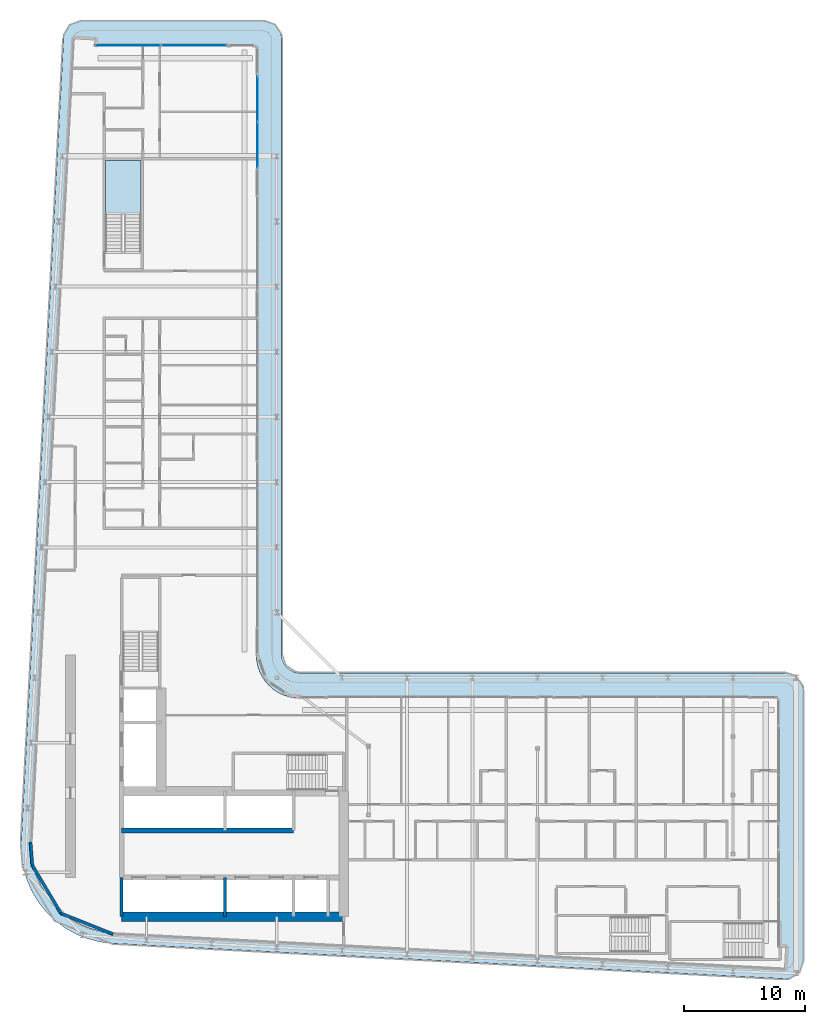
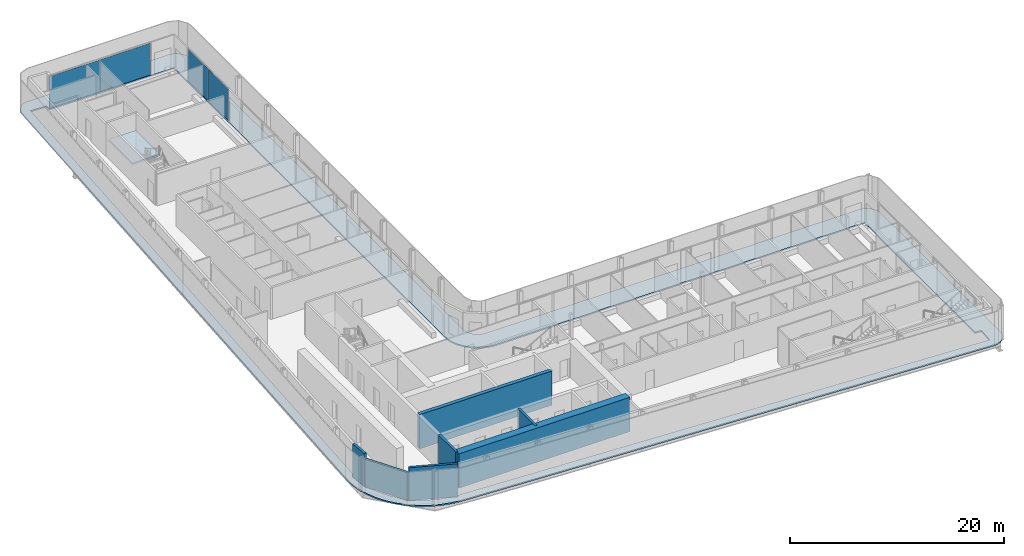
# One storey, part 10 of 24: 7 walls, 4 plates, 2 slabs, 3 elements without a shape of their own.
"""IFC4 building model written with IfcOpenShell, lengths in metres."""

from ifc_helpers import new_model, si_unit, direction, frame, frame_2d, origin, origin_2d, place, context, subcontext, project, spatial, polyline, rectangle, outline, extrude, material, layer, layer_set, type_object, element, aggregate, save


model = new_model("IFC4")

# Units and contexts
model_context = context("Model", 3, precision=1e-05, world=origin(), true_north=direction((0.0, 1.0)))
body_context = subcontext(model_context, "Body", "Model", "MODEL_VIEW")
ifc_project = project(units=[si_unit("LENGTHUNIT", "METRE"), si_unit("AREAUNIT", "SQUARE_METRE"), si_unit("VOLUMEUNIT", "CUBIC_METRE"), si_unit("PLANEANGLEUNIT", "RADIAN"), si_unit("MASSUNIT", "GRAM", prefix="KILO")], contexts=[model_context])

# Site, building, storey
site_placement = place(None, origin())
site = spatial("IfcSite", under=ifc_project, at=site_placement, CompositionType="ELEMENT")
building_placement = place(site_placement, origin())
building = spatial("IfcBuilding", under=site, at=building_placement, Name="Kheshtan School and Residences Tower", CompositionType="ELEMENT")
storey_placement = place(building_placement, frame((0.0, 0.0, 160.39990234375)))
storey = spatial("IfcBuildingStorey", under=building, at=storey_placement, Name="L37", CompositionType="ELEMENT", Elevation=160.39990234375)

# Curtain wall, plates
ifc_material_1 = material(Name="Clear low-e glass in thermally broken aluminium frame", Category="aluminium")
ifc_layer_1 = layer(ifc_material_1, 0.199951171875)
ifc_layer_set_1 = layer_set([ifc_layer_1], Name="Curtain wall CW-L")
curtain_wall_type = type_object("IfcCurtainWallType", Name="Curtain wall CW-L", PredefinedType="NOTDEFINED", material=ifc_layer_set_1)
curtain_wall_1_placement = place(storey_placement, origin())
curtain_wall_1 = element("IfcCurtainWall", 1, at=curtain_wall_1_placement, inside=storey, type_object=curtain_wall_type, Name="Curtain wall CWL7", PredefinedType="NOTDEFINED")
ifc_layer_2 = layer(ifc_material_1, 0.031982421875)
ifc_layer_set_2 = layer_set([ifc_layer_2], Name="CW-L glass panel")
plate_type = type_object("IfcPlateType", Name="CW-L glass panel", PredefinedType="CURTAIN_PANEL", material=ifc_layer_set_2)
plate_1_placement = place(storey_placement, frame((35.259033203125, 98.0, 0.000244140625), z_axis=(0.0, 0.0, 1.0), x_axis=(1.0, 0.0, 0.0)))
plate_1 = element("IfcPlate", 2, at=plate_1_placement, type_object=plate_type, Name="CWL7 panel 1.1", PredefinedType="CURTAIN_PANEL", context=body_context, shape_type="SweptSolid", body=[
    extrude(rectangle(XDim=5.4140625, YDim=0.031982421875, at=origin_2d()), origin(), (0.0, 0.0, 1.0), 3.6298828125),
])
plate_2_placement = place(storey_placement, frame((40.73291015625, 98.0, 0.000244140625), z_axis=(0.0, 0.0, 1.0), x_axis=(1.0, 0.0, 0.0)))
plate_2 = element("IfcPlate", 3, at=plate_2_placement, type_object=plate_type, Name="CWL7 panel 2.1", PredefinedType="CURTAIN_PANEL", context=body_context, shape_type="SweptSolid", body=[
    extrude(rectangle(XDim=5.4140625, YDim=0.031982421875, at=origin_2d()), origin(), (0.0, 0.0, 1.0), 3.6298828125),
])
aggregate(curtain_wall_1, [plate_1, plate_2])

curtain_wall_2_placement = place(storey_placement, origin())
curtain_wall_2 = element("IfcCurtainWall", 4, at=curtain_wall_2_placement, inside=storey, type_object=curtain_wall_type, Name="Curtain wall CWL8", PredefinedType="NOTDEFINED")
plate_3_placement = place(storey_placement, frame((46.0, 93.5615234375, 0.000244140625), z_axis=(0.0, 0.0, 1.0), x_axis=(0.0, -1.0, 0.0)))
plate_3 = element("IfcPlate", 5, at=plate_3_placement, type_object=plate_type, Name="CWL8 panel 1.1", PredefinedType="CURTAIN_PANEL", context=body_context, shape_type="SweptSolid", body=[
    extrude(rectangle(XDim=3.757080078125, YDim=0.031982421875, at=origin_2d()), origin(), (0.0, 0.0, 1.0), 3.6298828125),
])
plate_4_placement = place(storey_placement, frame((46.0, 89.744384765625, 0.000244140625), z_axis=(0.0, 0.0, 1.0), x_axis=(0.0, -1.0, 0.0)))
plate_4 = element("IfcPlate", 6, at=plate_4_placement, type_object=plate_type, Name="CWL8 panel 2.1", PredefinedType="CURTAIN_PANEL", context=body_context, shape_type="SweptSolid", body=[
    extrude(rectangle(XDim=3.757080078125, YDim=0.031982421875, at=origin_2d()), origin(), (0.0, 0.0, 1.0), 3.6298828125),
])
aggregate(curtain_wall_2, [plate_3, plate_4])

# Slab
ifc_material_2 = material(Name="Concrete C40/50", Category="concrete")
ifc_layer_3 = layer(ifc_material_2, 0.14990234375)
ifc_layer_set_3 = layer_set([ifc_layer_3], Name="Loggia balcony slab 150 Concrete C40/50")
slab_type_1 = type_object("IfcSlabType", Name="Loggia balcony slab 150 Concrete C40/50", PredefinedType="FLOOR", material=ifc_layer_set_3)
slab_1_placement = place(storey_placement, frame((0.0, 0.0, -0.14990234375)))
element("IfcSlab", 7, at=slab_1_placement, inside=storey, type_object=slab_type_1, Name="Loggia balcony slab L37", PredefinedType="FLOOR", context=body_context, shape_type="SweptSolid", body=[
    extrude(outline(polyline([(28.4580078125, 26.222900390625), (28.45703125, 26.222900390625), (28.45703125, 26.22412109375), (28.4560546875, 26.22412109375), (27.81494140625, 27.0390625), (27.281005859375, 27.93798828125), (26.867919921875, 28.89990234375), (26.583984375, 29.89990234375), (26.583984375, 29.906982421875), (26.43408203125, 30.943115234375), (26.419921875, 31.989013671875), (29.925048828125, 98.5791015625), (29.930908203125, 98.626953125), (29.930908203125, 98.6279296875), (29.929931640625, 98.6279296875), (29.929931640625, 98.62890625), (29.928955078125, 98.62890625), (29.928955078125, 98.6298828125), (29.927978515625, 98.6298828125), (29.927978515625, 98.631103515625), (29.927001953125, 98.631103515625), (29.927001953125, 98.632080078125), (29.927001953125, 98.633056640625), (29.945068359375, 98.781005859375), (29.945068359375, 98.783935546875), (29.945068359375, 98.784912109375), (29.946044921875, 98.784912109375), (29.946044921875, 98.785888671875), (29.947021484375, 98.785888671875), (29.947021484375, 98.787109375), (29.947998046875, 98.787109375), (29.948974609375, 98.787109375), (29.948974609375, 98.7880859375), (29.949951171875, 98.7880859375), (29.949951171875, 98.7890625), (29.949951171875, 98.791015625), (30.0029296875, 98.98388671875), (30.083984375, 99.175048828125), (30.18896484375, 99.35302734375), (30.31103515625, 99.507080078125), (30.31201171875, 99.507080078125), (30.31201171875, 99.508056640625), (30.31298828125, 99.508056640625), (30.31298828125, 99.509033203125), (30.31396484375, 99.509033203125), (30.31396484375, 99.510009765625), (30.31494140625, 99.510009765625), (30.31494140625, 99.510986328125), (30.31591796875, 99.510986328125), (30.31591796875, 99.511962890625), (30.31689453125, 99.511962890625), (30.31689453125, 99.512939453125), (30.318115234375, 99.512939453125), (30.321044921875, 99.512939453125), (30.322021484375, 99.512939453125), (30.322021484375, 99.513916015625), (30.468017578125, 99.656982421875), (30.468994140625, 99.656982421875), (30.468994140625, 99.657958984375), (30.469970703125, 99.657958984375), (30.469970703125, 99.658935546875), (30.470947265625, 99.658935546875), (30.470947265625, 99.659912109375), (30.471923828125, 99.659912109375), (30.471923828125, 99.660888671875), (30.472900390625, 99.660888671875), (30.472900390625, 99.662109375), (30.47412109375, 99.662109375), (30.47412109375, 99.6630859375), (30.47509765625, 99.6630859375), (30.47509765625, 99.6640625), (30.635986328125, 99.777099609375), (30.820068359375, 99.873046875), (31.007080078125, 99.943115234375), (31.013916015625, 99.943115234375), (31.217041015625, 99.986083984375), (31.423095703125, 100.0), (46.5, 100.0), (46.696044921875, 99.987060546875), (46.887939453125, 99.948974609375), (46.89501953125, 99.948974609375), (47.073974609375, 99.885986328125), (47.242919921875, 99.801025390625), (47.243896484375, 99.801025390625), (47.2470703125, 99.801025390625), (47.248046875, 99.801025390625), (47.248046875, 99.802001953125), (47.2490234375, 99.802001953125), (47.2490234375, 99.802978515625), (47.25, 99.802978515625), (47.2529296875, 99.802978515625), (47.25390625, 99.802978515625), (47.25390625, 99.802001953125), (47.2548828125, 99.802001953125), (47.2548828125, 99.801025390625), (47.256103515625, 99.801025390625), (47.256103515625, 99.800048828125), (47.257080078125, 99.800048828125), (47.257080078125, 99.799072265625), (47.258056640625, 99.799072265625), (47.258056640625, 99.798095703125), (47.412109375, 99.696044921875), (47.4130859375, 99.696044921875), (47.4130859375, 99.695068359375), (47.4140625, 99.695068359375), (47.4140625, 99.694091796875), (47.4140625, 99.68994140625), (47.4140625, 99.68896484375), (47.4150390625, 99.68896484375), (47.4150390625, 99.68798828125), (47.416015625, 99.68798828125), (47.416015625, 99.68701171875), (47.4169921875, 99.68701171875), (47.4169921875, 99.68603515625), (47.554931640625, 99.568115234375), (47.554931640625, 99.56689453125), (47.555908203125, 99.56689453125), (47.555908203125, 99.56591796875), (47.556884765625, 99.56591796875), (47.556884765625, 99.56494140625), (47.55810546875, 99.56494140625), (47.55810546875, 99.56396484375), (47.55908203125, 99.56396484375), (47.55908203125, 99.56298828125), (47.56005859375, 99.56298828125), (47.56005859375, 99.56201171875), (47.56103515625, 99.56201171875), (47.56201171875, 99.56103515625), (47.56201171875, 99.56005859375), (47.56298828125, 99.56005859375), (47.56298828125, 99.55908203125), (47.56396484375, 99.55908203125), (47.56396484375, 99.55810546875), (47.56494140625, 99.55810546875), (47.56494140625, 99.556884765625), (47.56591796875, 99.556884765625), (47.56591796875, 99.555908203125), (47.56689453125, 99.555908203125), (47.56689453125, 99.554931640625), (47.568115234375, 99.554931640625), (47.68505859375, 99.41796875), (47.68603515625, 99.41796875), (47.68603515625, 99.4169921875), (47.68701171875, 99.4169921875), (47.68701171875, 99.416015625), (47.68798828125, 99.416015625), (47.68798828125, 99.4150390625), (47.68896484375, 99.4150390625), (47.68896484375, 99.4140625), (47.68994140625, 99.4140625), (47.694091796875, 99.4140625), (47.695068359375, 99.4140625), (47.695068359375, 99.4130859375), (47.696044921875, 99.4130859375), (47.696044921875, 99.412109375), (47.797119140625, 99.259033203125), (47.798095703125, 99.259033203125), (47.798095703125, 99.258056640625), (47.799072265625, 99.258056640625), (47.799072265625, 99.257080078125), (47.800048828125, 99.257080078125), (47.800048828125, 99.256103515625), (47.801025390625, 99.256103515625), (47.801025390625, 99.2548828125), (47.802001953125, 99.2548828125), (47.802001953125, 99.25390625), (47.802978515625, 99.25390625), (47.802978515625, 99.2529296875), (47.802978515625, 99.25), (47.802978515625, 99.2490234375), (47.802001953125, 99.2490234375), (47.802001953125, 99.248046875), (47.801025390625, 99.248046875), (47.801025390625, 99.2470703125), (47.801025390625, 99.242919921875), (47.801025390625, 99.241943359375), (47.885986328125, 99.073974609375), (47.948974609375, 98.89501953125), (47.948974609375, 98.887939453125), (47.987060546875, 98.696044921875), (48.0, 98.5), (48.0, 47.5), (48.012939453125, 47.303955078125), (48.051025390625, 47.113037109375), (48.051025390625, 47.10693359375), (48.051025390625, 47.10595703125), (48.114013671875, 46.926025390625), (48.200927734375, 46.75), (48.31005859375, 46.5869140625), (48.431884765625, 46.444091796875), (48.43310546875, 46.444091796875), (48.43310546875, 46.443115234375), (48.43408203125, 46.443115234375), (48.43408203125, 46.44189453125), (48.43505859375, 46.44189453125), (48.43505859375, 46.44091796875), (48.43603515625, 46.44091796875), (48.43603515625, 46.43994140625), (48.43701171875, 46.43994140625), (48.43701171875, 46.43896484375), (48.43798828125, 46.43896484375), (48.43896484375, 46.43798828125), (48.43896484375, 46.43701171875), (48.43994140625, 46.43701171875), (48.43994140625, 46.43603515625), (48.44091796875, 46.43603515625), (48.44091796875, 46.43505859375), (48.44189453125, 46.43505859375), (48.44189453125, 46.43408203125), (48.443115234375, 46.43408203125), (48.443115234375, 46.43310546875), (48.444091796875, 46.43310546875), (48.444091796875, 46.431884765625), (48.5869140625, 46.31005859375), (48.75, 46.200927734375), (48.926025390625, 46.114013671875), (49.10595703125, 46.051025390625), (49.10693359375, 46.051025390625), (49.113037109375, 46.051025390625), (49.303955078125, 46.012939453125), (49.5, 46.0), (89.699951171875, 46.0), (89.89599609375, 45.987060546875), (90.087890625, 45.948974609375), (90.094970703125, 45.948974609375), (90.27392578125, 45.885986328125), (90.44189453125, 45.801025390625), (90.443115234375, 45.801025390625), (90.447021484375, 45.801025390625), (90.447998046875, 45.801025390625), (90.447998046875, 45.802001953125), (90.448974609375, 45.802001953125), (90.448974609375, 45.802978515625), (90.449951171875, 45.802978515625), (90.452880859375, 45.802978515625), (90.4541015625, 45.802978515625), (90.4541015625, 45.802001953125), (90.455078125, 45.802001953125), (90.455078125, 45.801025390625), (90.4560546875, 45.801025390625), (90.4560546875, 45.800048828125), (90.45703125, 45.800048828125), (90.45703125, 45.799072265625), (90.4580078125, 45.799072265625), (90.4580078125, 45.798095703125), (90.458984375, 45.798095703125), (90.458984375, 45.797119140625), (90.4599609375, 45.797119140625), (90.4599609375, 45.7958984375), (90.612060546875, 45.696044921875), (90.613037109375, 45.696044921875), (90.613037109375, 45.695068359375), (90.614013671875, 45.695068359375), (90.614013671875, 45.694091796875), (90.614013671875, 45.68994140625), (90.614013671875, 45.68896484375), (90.614990234375, 45.68896484375), (90.614990234375, 45.68798828125), (90.615966796875, 45.68798828125), (90.615966796875, 45.68701171875), (90.616943359375, 45.68701171875), (90.616943359375, 45.68603515625), (90.617919921875, 45.68603515625), (90.617919921875, 45.68505859375), (90.618896484375, 45.68505859375), (90.618896484375, 45.68408203125), (90.7548828125, 45.568115234375), (90.7548828125, 45.56689453125), (90.756103515625, 45.56689453125), (90.756103515625, 45.56591796875), (90.757080078125, 45.56591796875), (90.757080078125, 45.56494140625), (90.758056640625, 45.56494140625), (90.758056640625, 45.56396484375), (90.759033203125, 45.56396484375), (90.759033203125, 45.56298828125), (90.760009765625, 45.56298828125), (90.760009765625, 45.56201171875), (90.760986328125, 45.56201171875), (90.761962890625, 45.56103515625), (90.761962890625, 45.56005859375), (90.762939453125, 45.56005859375), (90.762939453125, 45.55908203125), (90.763916015625, 45.55908203125), (90.763916015625, 45.55810546875), (90.764892578125, 45.55810546875), (90.764892578125, 45.556884765625), (90.76611328125, 45.556884765625), (90.76611328125, 45.555908203125), (90.76708984375, 45.555908203125), (90.76708984375, 45.554931640625), (90.76806640625, 45.554931640625), (90.882080078125, 45.4208984375), (90.883056640625, 45.4208984375), (90.883056640625, 45.419921875), (90.884033203125, 45.419921875), (90.884033203125, 45.4189453125), (90.885009765625, 45.4189453125), (90.885009765625, 45.41796875), (90.885986328125, 45.41796875), (90.885986328125, 45.4169921875), (90.886962890625, 45.4169921875), (90.886962890625, 45.416015625), (90.887939453125, 45.416015625), (90.887939453125, 45.4150390625), (90.888916015625, 45.4150390625), (90.888916015625, 45.4140625), (90.889892578125, 45.4140625), (90.89404296875, 45.4140625), (90.89501953125, 45.4140625), (90.89501953125, 45.4130859375), (90.89599609375, 45.4130859375), (90.89599609375, 45.412109375), (90.993896484375, 45.261962890625), (90.9951171875, 45.261962890625), (90.9951171875, 45.260986328125), (90.99609375, 45.260986328125), (90.99609375, 45.260009765625), (90.9970703125, 45.260009765625), (90.9970703125, 45.259033203125), (90.998046875, 45.259033203125), (90.998046875, 45.258056640625), (90.9990234375, 45.258056640625), (90.9990234375, 45.257080078125), (91.0, 45.257080078125), (91.0, 45.256103515625), (91.0009765625, 45.256103515625), (91.0009765625, 45.2548828125), (91.001953125, 45.2548828125), (91.001953125, 45.25390625), (91.0029296875, 45.25390625), (91.0029296875, 45.2529296875), (91.0029296875, 45.25), (91.0029296875, 45.2490234375), (91.001953125, 45.2490234375), (91.001953125, 45.248046875), (91.0009765625, 45.248046875), (91.0009765625, 45.2470703125), (91.0009765625, 45.240966796875), (91.0009765625, 45.239990234375), (91.0859375, 45.073974609375), (91.14892578125, 44.89501953125), (91.14892578125, 44.887939453125), (91.18701171875, 44.696044921875), (91.199951171875, 44.5), (91.199951171875, 22.14892578125), (91.18603515625, 21.947021484375), (91.14501953125, 21.7490234375), (91.14501953125, 21.741943359375), (91.077880859375, 21.556884765625), (90.986083984375, 21.376953125), (90.87109375, 21.2109375), (90.87109375, 21.2099609375), (90.87109375, 21.208984375), (90.87109375, 21.2080078125), (90.8720703125, 21.2080078125), (90.8720703125, 21.20703125), (90.8720703125, 21.205078125), (90.8720703125, 21.2041015625), (90.87109375, 21.2041015625), (90.87109375, 21.202880859375), (90.738037109375, 21.06005859375), (90.735107421875, 21.056884765625), (90.73388671875, 21.056884765625), (90.73388671875, 21.055908203125), (90.73291015625, 21.055908203125), (90.73095703125, 21.055908203125), (90.72998046875, 21.055908203125), (90.72998046875, 21.056884765625), (90.72900390625, 21.056884765625), (90.72802734375, 21.056884765625), (90.72705078125, 21.056884765625), (90.575927734375, 20.931884765625), (90.404052734375, 20.824951171875), (90.218994140625, 20.741943359375), (90.031005859375, 20.68505859375), (90.02392578125, 20.68505859375), (89.823974609375, 20.655029296875), (89.62109375, 20.652099609375), (33.989013671875, 23.580078125), (33.94189453125, 23.5859375), (33.94091796875, 23.5859375), (33.93994140625, 23.5859375), (33.93994140625, 23.5849609375), (33.93896484375, 23.5849609375), (33.93896484375, 23.583984375), (33.93798828125, 23.583984375), (33.93798828125, 23.5830078125), (33.93701171875, 23.5830078125), (33.93701171875, 23.58203125), (33.93603515625, 23.58203125), (33.93505859375, 23.58203125), (32.952880859375, 23.697998046875), (32.949951171875, 23.697998046875), (32.948974609375, 23.697998046875), (32.948974609375, 23.698974609375), (32.947998046875, 23.698974609375), (32.947998046875, 23.699951171875), (32.947021484375, 23.699951171875), (32.947021484375, 23.700927734375), (32.947021484375, 23.702880859375), (32.947021484375, 23.7041015625), (32.946044921875, 23.7041015625), (32.946044921875, 23.705078125), (32.945068359375, 23.705078125), (32.944091796875, 23.705078125), (31.93603515625, 23.9609375), (31.928955078125, 23.9609375), (30.964111328125, 24.34912109375), (30.051025390625, 24.860107421875), (29.218994140625, 25.47900390625), (29.218994140625, 25.47998046875), (29.218017578125, 25.47998046875), (29.218017578125, 25.48095703125), (29.217041015625, 25.48095703125), (29.217041015625, 25.48193359375), (29.216064453125, 25.48193359375), (29.216064453125, 25.48291015625), (29.215087890625, 25.48291015625), (29.215087890625, 25.48388671875), (29.214111328125, 25.48388671875), (29.214111328125, 25.485107421875), (29.212890625, 25.485107421875), (29.212890625, 25.486083984375), (29.2119140625, 25.486083984375), (28.467041015625, 26.217041015625), (28.467041015625, 26.218017578125), (28.466064453125, 26.218017578125), (28.462890625, 26.218017578125), (28.4619140625, 26.218017578125), (28.4619140625, 26.218994140625), (28.4609375, 26.218994140625), (28.4609375, 26.219970703125), (28.4599609375, 26.219970703125), (28.4599609375, 26.220947265625), (28.458984375, 26.220947265625), (28.458984375, 26.221923828125), (28.4580078125, 26.221923828125), (28.4580078125, 26.222900390625)]), holes=[polyline([(29.12890625, 26.824951171875), (29.12890625, 26.823974609375), (29.1298828125, 26.823974609375), (29.1298828125, 26.822998046875), (29.131103515625, 26.822998046875), (29.131103515625, 26.822021484375), (29.132080078125, 26.822021484375), (29.132080078125, 26.821044921875), (29.133056640625, 26.821044921875), (29.133056640625, 26.820068359375), (29.134033203125, 26.820068359375), (29.7939453125, 26.173095703125), (29.7939453125, 26.172119140625), (29.794921875, 26.172119140625), (29.798095703125, 26.172119140625), (29.799072265625, 26.172119140625), (29.799072265625, 26.1708984375), (29.800048828125, 26.1708984375), (29.800048828125, 26.169921875), (29.801025390625, 26.169921875), (29.801025390625, 26.1689453125), (29.802001953125, 26.1689453125), (29.802001953125, 26.16796875), (29.802978515625, 26.16796875), (29.802978515625, 26.1669921875), (29.803955078125, 26.1669921875), (29.803955078125, 26.166015625), (30.541015625, 25.616943359375), (31.35205078125, 25.1630859375), (32.208984375, 24.819091796875), (32.2099609375, 24.819091796875), (32.216064453125, 24.819091796875), (33.114990234375, 24.590087890625), (34.06591796875, 24.47705078125), (89.637939453125, 21.552001953125), (89.6650390625, 21.552978515625), (89.666015625, 21.552978515625), (89.6669921875, 21.552978515625), (89.6669921875, 21.553955078125), (89.66796875, 21.553955078125), (89.66796875, 21.554931640625), (89.66796875, 21.555908203125), (89.758056640625, 23.2451171875), (89.758056640625, 23.24609375), (89.758056640625, 23.2470703125), (89.757080078125, 23.2470703125), (89.757080078125, 23.248046875), (89.756103515625, 23.248046875), (89.7548828125, 23.248046875), (89.10107421875, 23.282958984375), (89.10009765625, 23.282958984375), (89.10009765625, 23.283935546875), (89.10009765625, 43.89794921875), (89.10009765625, 43.89892578125), (89.09912109375, 43.89892578125), (89.09912109375, 43.89990234375), (89.097900390625, 43.89990234375), (49.429931640625, 43.89990234375), (49.030029296875, 43.927001953125), (48.569091796875, 44.01806640625), (48.56201171875, 44.01806640625), (48.1201171875, 44.169921875), (47.697021484375, 44.37890625), (47.30810546875, 44.638916015625), (46.95703125, 44.944091796875), (46.95703125, 44.945068359375), (46.9560546875, 44.945068359375), (46.9560546875, 44.946044921875), (46.955078125, 44.946044921875), (46.955078125, 44.947021484375), (46.9541015625, 44.947021484375), (46.9541015625, 44.947998046875), (46.952880859375, 44.947998046875), (46.952880859375, 44.948974609375), (46.951904296875, 44.948974609375), (46.951904296875, 44.949951171875), (46.951904296875, 44.950927734375), (46.950927734375, 44.950927734375), (46.950927734375, 44.951904296875), (46.949951171875, 44.951904296875), (46.948974609375, 44.951904296875), (46.948974609375, 44.952880859375), (46.947998046875, 44.952880859375), (46.947998046875, 44.9541015625), (46.947021484375, 44.9541015625), (46.947021484375, 44.955078125), (46.946044921875, 44.955078125), (46.946044921875, 44.9560546875), (46.945068359375, 44.9560546875), (46.945068359375, 44.95703125), (46.944091796875, 44.95703125), (46.638916015625, 45.30810546875), (46.37890625, 45.697021484375), (46.169921875, 46.1201171875), (46.01806640625, 46.56201171875), (46.01806640625, 46.569091796875), (45.927001953125, 47.030029296875), (45.89990234375, 47.429931640625), (45.89990234375, 97.89794921875), (45.89990234375, 97.89892578125), (45.89892578125, 97.89892578125), (45.89892578125, 97.89990234375), (45.89794921875, 97.89990234375), (32.492919921875, 97.89990234375), (32.491943359375, 97.89990234375), (32.52099609375, 98.43896484375), (32.52099609375, 98.43994140625), (32.52099609375, 98.44091796875), (32.52001953125, 98.44091796875), (32.52001953125, 98.44189453125), (32.51904296875, 98.44189453125), (32.51806640625, 98.44189453125), (30.8291015625, 98.531982421875), (30.827880859375, 98.531982421875), (30.826904296875, 98.531982421875), (30.826904296875, 98.531005859375), (30.825927734375, 98.531005859375), (30.825927734375, 98.530029296875), (30.825927734375, 98.529052734375), (30.822021484375, 98.5009765625), (27.320068359375, 31.970947265625), (27.3330078125, 31.013916015625), (27.466064453125, 30.093994140625), (27.466064453125, 30.087890625), (27.466064453125, 30.0869140625), (27.718017578125, 29.200927734375), (28.0849609375, 28.345947265625), (28.55908203125, 27.550048828125), (29.126953125, 26.825927734375), (29.1279296875, 26.825927734375), (29.1279296875, 26.824951171875), (29.12890625, 26.824951171875)])]), origin(), (0.0, 0.0, 1.0), 0.14990234375),
])

# Stair, slab
stair_type = type_object("IfcStairType", Name="Exit stair, half-turn", PredefinedType="HALF_TURN_STAIR", material=ifc_material_2)
stair_placement = place(storey_placement, origin())
stair = element("IfcStair", 8, at=stair_placement, inside=storey, type_object=stair_type, Name="L37 Protected Exit Stair ST3", PredefinedType="HALF_TURN_STAIR")
ifc_layer_4 = layer(ifc_material_2, 0.199951171875)
ifc_layer_set_4 = layer_set([ifc_layer_4], Name="Stair landing 200 Concrete C40/50")
slab_type_2 = type_object("IfcSlabType", Name="Stair landing 200 Concrete C40/50", PredefinedType="LANDING", material=ifc_layer_set_4)
slab_2_placement = place(storey_placement, frame((0.0, 0.0, 1.75)))
slab_2 = element("IfcSlab", 9, at=slab_2_placement, type_object=slab_type_2, Name="ST3 landing 1", PredefinedType="LANDING", context=body_context, shape_type="SweptSolid", body=[
    extrude(outline(polyline([(36.35009765625, 83.97998046875), (36.35009765625, 88.4599609375), (33.39990234375, 88.4599609375), (33.39990234375, 83.97998046875), (36.35009765625, 83.97998046875)])), origin(), (0.0, 0.0, 1.0), 0.2001953125),
])
aggregate(stair, [slab_2])

# Walls
ifc_material_3 = material(Name="Concrete C50/60", Category="concrete")
ifc_layer_5 = layer(ifc_material_3, 0.39990234375)
ifc_layer_set_5 = layer_set([ifc_layer_5], Name="Core wall 400 Concrete C50/60")
wall_type_1 = type_object("IfcWallType", Name="Core wall 400 Concrete C50/60", PredefinedType="SHEAR", material=ifc_layer_set_5)
wall_1_placement = place(storey_placement, frame((34.75, 32.949951171875, 0.0), z_axis=(0.0, 0.0, 1.0), x_axis=(1.0, 0.0, 0.0)))
element("IfcWall", 10, at=wall_1_placement, inside=storey, type_object=wall_type_1, Name="Core wall CW-HALL-S2", PredefinedType="SHEAR", context=body_context, shape_type="SweptSolid", body=[
    extrude(rectangle(XDim=14.25, YDim=0.39990234375, at=frame_2d((7.125, 0.0))), origin(), (0.0, 0.0, 1.0), 3.900146484375),
])
ifc_material_4 = material(Name="Concrete C70/85", Category="concrete")
ifc_layer_6 = layer(ifc_material_4, 0.800048828125)
ifc_layer_set_6 = layer_set([ifc_layer_6], Name="Core wall 800 Concrete C70/85")
wall_type_2 = type_object("IfcWallType", Name="Core wall 800 Concrete C70/85", PredefinedType="SHEAR", material=ifc_layer_set_6)
wall_2_placement = place(storey_placement, frame((34.75, 25.800048828125, 0.0), z_axis=(0.0, 0.0, 1.0), x_axis=(1.0, 0.0, 0.0)))
element("IfcWall", 11, at=wall_2_placement, inside=storey, type_object=wall_type_2, Name="Core wall CW-REAR-S", PredefinedType="SHEAR", context=body_context, shape_type="SweptSolid", body=[
    extrude(rectangle(XDim=18.39990234375, YDim=0.800048828125, at=frame_2d((9.199951171875, 0.0))), origin(), (0.0, 0.0, 1.0), 3.900146484375),
])
ifc_material_5 = material(Name="Concrete C40/50 with ceramic cladding and mineral wool insulation", Category="concrete")
ifc_layer_7 = layer(ifc_material_5, 0.25)
ifc_layer_set_7 = layer_set([ifc_layer_7], Name="External wall 250 ceramic clad")
wall_type_3 = type_object("IfcWallType", Name="External wall 250 ceramic clad", PredefinedType="SOLIDWALL", material=ifc_layer_set_7)
wall_3_placement = place(storey_placement, frame((34.0390625, 24.35302734375, 0.0), z_axis=(0.0, 0.0, 1.0), x_axis=(-0.929352825399, 0.369192803184, 0.0)))
element("IfcWall", 12, at=wall_3_placement, inside=storey, type_object=wall_type_3, Name="External wall L37 1", PredefinedType="SOLIDWALL", context=body_context, shape_type="SweptSolid", body=[
    extrude(rectangle(XDim=4.656005859375, YDim=0.25, at=frame_2d((2.328125, 0.0))), origin(), (0.0, 0.0, 1.0), 3.75),
])
wall_4_placement = place(storey_placement, frame((29.7119140625, 26.072021484375, 0.0), z_axis=(0.0, 0.0, 1.0), x_axis=(-0.511028049012, 0.859564036662, 0.0)))
element("IfcWall", 13, at=wall_4_placement, inside=storey, type_object=wall_type_3, Name="External wall L37 2", PredefinedType="SOLIDWALL", context=body_context, shape_type="SweptSolid", body=[
    extrude(rectangle(XDim=4.633544921875, YDim=0.25, at=frame_2d((2.31689453125, 0.0))), origin(), (0.0, 0.0, 1.0), 3.147216796875),
])
wall_5_placement = place(storey_placement, frame((27.343994140625, 30.054931640625, 0.0), z_axis=(0.0, 0.0, 1.0), x_axis=(-0.077571675317, 0.99698677784, 0.0)))
element("IfcWall", 14, at=wall_5_placement, inside=storey, type_object=wall_type_3, Name="External wall L37 3", PredefinedType="SOLIDWALL", context=body_context, shape_type="SweptSolid", body=[
    extrude(rectangle(XDim=1.919921875, YDim=0.25, at=frame_2d((0.9599609375, 0.0))), origin(), (0.0, 0.0, 1.0), 3.75),
])
ifc_material_6 = material(Name="Fire-board shaft wall system")
ifc_layer_8 = layer(ifc_material_6, 0.25)
ifc_layer_set_8 = layer_set([ifc_layer_8], Name="Shaft lining wall 250")
wall_type_4 = type_object("IfcWallType", Name="Shaft lining wall 250", PredefinedType="PARTITIONING", material=ifc_layer_set_8)
for number, where, z_axis, x_axis, name in (
    (15, (34.75, 25.800048828125, 0.0), (0.0, 0.0, 1.0), (0.0, 1.0, 0.0), "Shaft lining wall"),
    (16, (43.300048828125, 25.800048828125, 0.0), (0.0, 0.0, 1.0), (0.0, 1.0, 0.0), "Shaft lining wall"),
):
    element("IfcWall", number, at=place(storey_placement, frame(where, z_axis=z_axis, x_axis=x_axis)), inside=storey, type_object=wall_type_4, Name=name, PredefinedType="PARTITIONING", context=body_context, shape_type="SweptSolid", body=[
        extrude(rectangle(XDim=3.25, YDim=0.25, at=frame_2d((1.625, 0.0))), origin(), (0.0, 0.0, 1.0), 3.900146484375),
    ])

save(model, "model.ifc")
